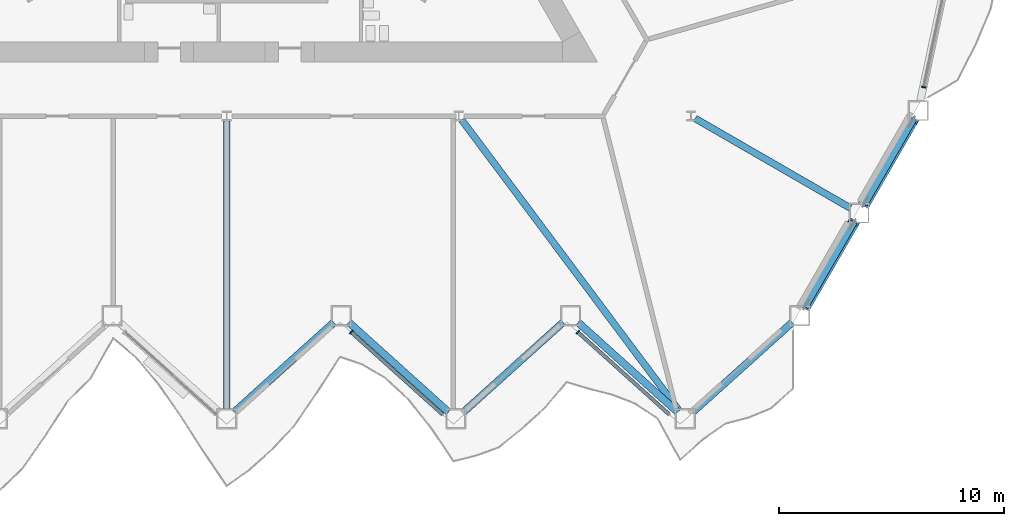
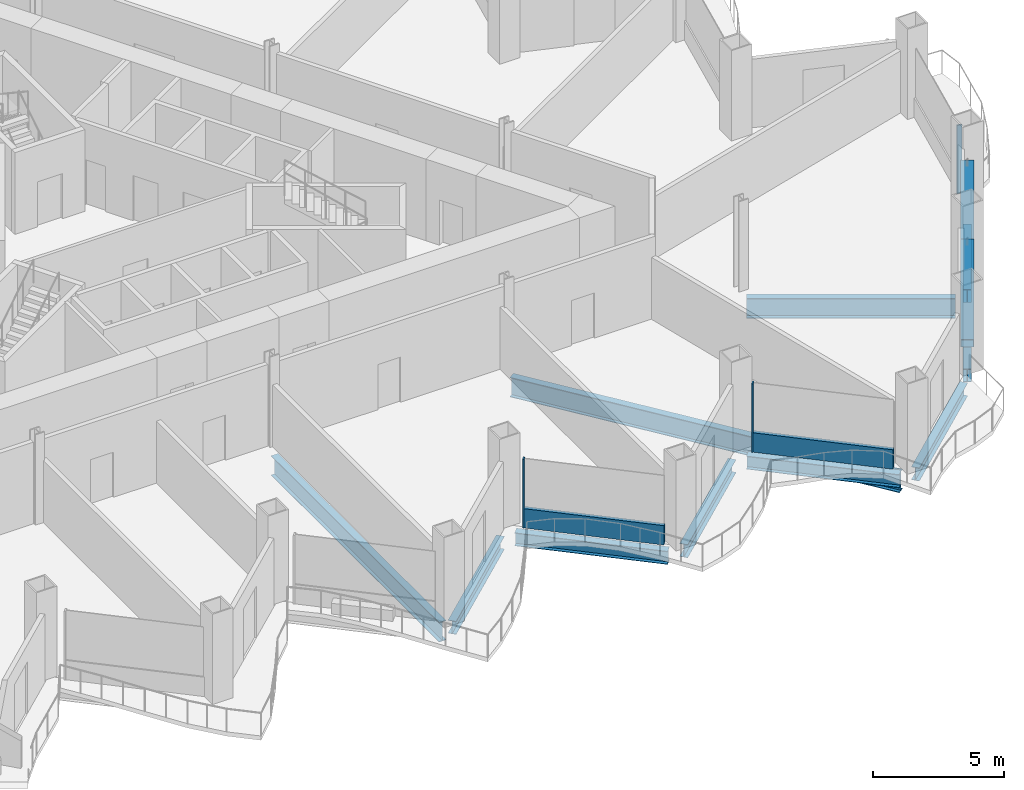
# One storey, part 5 of 21: 10 beams, 7 members, 3 elements without a shape of their own.
"""IFC4 building model written with IfcOpenShell, lengths in metres."""

from ifc_helpers import new_model, si_unit, direction, frame, origin, origin_2d, place, context, subcontext, project, spatial, rectangle, hollow_rectangle, i_section, extrude, material, layer, layer_set, material_profile, profile_set, type_object, element, aggregate, save


model = new_model("IFC4")

# Units and contexts
model_context = context("Model", 3, precision=1e-05, world=origin(), true_north=direction((0.0, 1.0)))
body_context = subcontext(model_context, "Body", "Model", "MODEL_VIEW")
ifc_project = project(units=[si_unit("LENGTHUNIT", "METRE"), si_unit("AREAUNIT", "SQUARE_METRE"), si_unit("VOLUMEUNIT", "CUBIC_METRE"), si_unit("PLANEANGLEUNIT", "RADIAN"), si_unit("MASSUNIT", "GRAM", prefix="KILO")], contexts=[model_context])

# Site, building, storey
site_placement = place(None, origin())
site = spatial("IfcSite", under=ifc_project, at=site_placement, CompositionType="ELEMENT")
building_placement = place(site_placement, origin())
building = spatial("IfcBuilding", under=site, at=building_placement, Name="Cormorant Prow Tower", CompositionType="ELEMENT")
storey_placement = place(building_placement, frame((0.0, 0.0, 124.800048828125)))
storey = spatial("IfcBuildingStorey", under=building, at=storey_placement, Name="L26", CompositionType="ELEMENT", Elevation=124.800048828125)

# Members
ifc_material_1 = material(Name="Structural steel ASTM A500 Gr C", Category="steel")
ifc_material_profile_1 = material_profile(ifc_material_1, hollow_rectangle(XDim=0.508056640625, YDim=0.508056640625, WallThickness=0.014892578125, at=origin_2d()), Name="HSS20x20x5/8")
ifc_profile_set_1 = profile_set([ifc_material_profile_1], Name="Structural steel ASTM A500 Gr C")
member_type_1 = type_object("IfcMemberType", Name="Chamfer brace HSS20x20x5/8", PredefinedType="BRACE", material=ifc_profile_set_1)
for number, where, z_axis, x_axis, name in (
    (1, (25.733642578125, -20.402099609375, 0.776611328125), (0.467784671838, 0.810243526908, 0.35310469821), (-0.866029868417, 0.499992266949, 0.0), "Chamfer brace BR1 at ESE00 L26"),
    (2, (28.368408203125, -15.83837890625, 0.776611328125), (0.467784671838, 0.810243526908, 0.35310469821), (-0.866029868417, 0.499992266949, 0.0), "Chamfer brace BR1 at ESE01 L26"),
):
    element("IfcMember", number, at=place(storey_placement, frame(where, z_axis=z_axis, x_axis=x_axis)), inside=storey, type_object=member_type_1, Name=name, PredefinedType="BRACE", context=body_context, shape_type="SweptSolid", body=[
        extrude(hollow_rectangle(XDim=0.508056640625, YDim=0.508056640625, WallThickness=0.014892578125, at=origin_2d()), origin(), (0.0, 0.0, 1.0), 4.632568359375),
    ])

# Curtain wall, member
ifc_material_2 = material(Name="Aluminium 6063-T6", Category="aluminium")
ifc_layer = layer(ifc_material_2, 0.199951171875)
ifc_layer_set = layer_set([ifc_layer], Name="Aluminium 6063-T6")
curtain_wall_type = type_object("IfcCurtainWallType", Name="Office unitised curtain wall 200", PredefinedType="NOTDEFINED", material=ifc_layer_set)
curtain_wall_1_placement = place(storey_placement, origin())
curtain_wall_1 = element("IfcCurtainWall", 3, at=curtain_wall_1_placement, inside=storey, type_object=curtain_wall_type, Name="Office curtain wall S06", PredefinedType="NOTDEFINED")
ifc_material_3 = material(Name="Aluminium 6063-T6", Category="aluminium")
ifc_material_profile_2 = material_profile(ifc_material_3, rectangle(XDim=0.199951171875, YDim=0.06005859375, at=origin_2d()), Name="Office mullion 60x200")
ifc_profile_set_2 = profile_set([ifc_material_profile_2], Name="Aluminium 6063-T6")
member_type_2 = type_object("IfcMemberType", Name="Office mullion 60x200", PredefinedType="MULLION", material=ifc_profile_set_2)
member_1_placement = place(storey_placement, frame((5.538330078125, -21.54150390625, 0.0), z_axis=(0.0, 0.0, 1.0), x_axis=(0.669130626463, 0.743144807376, 0.0)))
member_1 = element("IfcMember", 4, at=member_1_placement, type_object=member_type_2, Name="Office mullion S06", PredefinedType="MULLION", context=body_context, shape_type="SweptSolid", body=[
    extrude(rectangle(XDim=0.199951171875, YDim=0.06005859375, at=origin_2d()), origin(), (0.0, 0.0, 1.0), 3.18896484375),
])

curtain_wall_2_placement = place(storey_placement, origin())
curtain_wall_2 = element("IfcCurtainWall", 5, at=curtain_wall_2_placement, inside=storey, type_object=curtain_wall_type, Name="Office curtain wall S08", PredefinedType="NOTDEFINED")
member_2_placement = place(storey_placement, frame((15.625, -21.54150390625, 0.0), z_axis=(0.0, 0.0, 1.0), x_axis=(0.669130626463, 0.743144807376, 0.0)))
member_2 = element("IfcMember", 6, at=member_2_placement, type_object=member_type_2, Name="Office mullion S08", PredefinedType="MULLION", context=body_context, shape_type="SweptSolid", body=[
    extrude(rectangle(XDim=0.199951171875, YDim=0.06005859375, at=origin_2d()), origin(), (0.0, 0.0, 1.0), 3.18896484375),
])

curtain_wall_3_placement = place(storey_placement, origin())
curtain_wall_3 = element("IfcCurtainWall", 7, at=curtain_wall_3_placement, inside=storey, type_object=curtain_wall_type, Name="Office curtain wall ENE00", PredefinedType="NOTDEFINED")
member_3_placement = place(storey_placement, frame((31.0166015625, -10.63916015625, 0.0), z_axis=(0.0, 0.0, 1.0), x_axis=(-0.978147605839, 0.207911666798, 0.0)))
member_3 = element("IfcMember", 8, at=member_3_placement, type_object=member_type_2, Name="Office mullion ENE00", PredefinedType="MULLION", context=body_context, shape_type="SweptSolid", body=[
    extrude(rectangle(XDim=0.199951171875, YDim=0.06005859375, at=origin_2d()), origin(), (0.0, 0.0, 1.0), 3.18896484375),
])
aggregate(curtain_wall_3, [member_3])

# Member
ifc_material_4 = material(Name="Terracotta", Category="masonry")
ifc_material_profile_3 = material_profile(ifc_material_4, rectangle(XDim=0.159912109375, YDim=0.89990234375, at=origin_2d()), Name="Office terracotta spandrel rail 160x900")
ifc_profile_set_3 = profile_set([ifc_material_profile_3], Name="Terracotta")
member_type_3 = type_object("IfcMemberType", Name="Office terracotta spandrel rail 160x900", PredefinedType="USERDEFINED", material=ifc_profile_set_3)
member_4_placement = place(storey_placement, frame((5.560546875, -21.561767578125, 0.449951171875), z_axis=(0.743173953353, -0.66909825516, 0.0), x_axis=(0.66909825516, 0.743173953353, 0.0)))
member_4 = element("IfcMember", 9, at=member_4_placement, type_object=member_type_3, Name="Office spandrel rail S06", ObjectType="TRANSOM", PredefinedType="USERDEFINED", context=body_context, shape_type="SweptSolid", body=[
    extrude(rectangle(XDim=0.159912109375, YDim=0.89990234375, at=origin_2d()), origin(), (0.0, 0.0, 1.0), 5.45458984375),
])

aggregate(curtain_wall_1, [member_1, member_4])

member_5_placement = place(storey_placement, frame((15.6474609375, -21.561767578125, 0.449951171875), z_axis=(0.743153914206, -0.669120512165, 0.0), x_axis=(0.669120512165, 0.743153914206, 0.0)))
member_5 = element("IfcMember", 10, at=member_5_placement, type_object=member_type_3, Name="Office spandrel rail S08", ObjectType="TRANSOM", PredefinedType="USERDEFINED", context=body_context, shape_type="SweptSolid", body=[
    extrude(rectangle(XDim=0.159912109375, YDim=0.89990234375, at=origin_2d()), origin(), (0.0, 0.0, 1.0), 5.454345703125),
])

aggregate(curtain_wall_2, [member_2, member_5])

# Beams
ifc_material_5 = material(Name="Structural steel ASTM A992 Gr 50", Category="steel")
ifc_material_profile_4 = material_profile(ifc_material_5, i_section(OverallWidth=0.3046875, OverallDepth=0.914794921875, WebThickness=0.0166015625, FlangeThickness=0.02587890625, at=origin_2d()), Name="W36x160")
ifc_profile_set_4 = profile_set([ifc_material_profile_4], Name="Structural steel ASTM A992 Gr 50")
beam_type_1 = type_object("IfcBeamType", Name="Radial floor beam W36x160", PredefinedType="BEAM", material=ifc_profile_set_4)
beam_1_placement = place(storey_placement, frame((0.0, -12.143798828125, -0.857421875), z_axis=(0.0, -1.0, 0.0), x_axis=(1.0, 0.0, 0.0)))
element("IfcBeam", 11, at=beam_1_placement, inside=storey, type_object=beam_type_1, Name="Radial floor beam FB1 7 L26", PredefinedType="BEAM", context=body_context, shape_type="SweptSolid", body=[
    extrude(i_section(OverallWidth=0.3046875, OverallDepth=0.914794921875, WebThickness=0.0166015625, FlangeThickness=0.02587890625, at=origin_2d()), origin(), (0.0, 0.0, 1.0), 12.805419921875),
])
beam_2_placement = place(storey_placement, frame((10.458740234375, -12.100341796875, -0.857421875), z_axis=(0.598722444929, -0.800956574315, 0.0), x_axis=(0.800956574315, 0.598722444929, 0.0)))
element("IfcBeam", 12, at=beam_2_placement, inside=storey, type_object=beam_type_1, Name="Radial floor beam FB1 8 L26", PredefinedType="BEAM", context=body_context, shape_type="SweptSolid", body=[
    extrude(i_section(OverallWidth=0.3046875, OverallDepth=0.914794921875, WebThickness=0.0166015625, FlangeThickness=0.02587890625, at=origin_2d()), origin(), (0.0, 0.0, 1.0), 16.15380859375),
])
beam_3_placement = place(storey_placement, frame((20.84521484375, -12.034912109375, -0.857421875), z_axis=(0.866018715534, -0.50001158421, 0.0), x_axis=(0.50001158421, 0.866018715534, 0.0)))
element("IfcBeam", 13, at=beam_3_placement, inside=storey, type_object=beam_type_1, Name="Radial floor beam FB1 9 L26", PredefinedType="BEAM", context=body_context, shape_type="SweptSolid", body=[
    extrude(i_section(OverallWidth=0.3046875, OverallDepth=0.914794921875, WebThickness=0.0166015625, FlangeThickness=0.02587890625, at=origin_2d()), origin(), (0.0, 0.0, 1.0), 7.967041015625),
])
ifc_material_6 = material(Name="Structural steel ASTM A992 Gr 50", Category="steel")
ifc_material_profile_5 = material_profile(ifc_material_6, i_section(OverallWidth=0.32373046875, OverallDepth=0.611083984375, WebThickness=0.0126953125, FlangeThickness=0.01904296875, at=origin_2d()), Name="W24x104")
ifc_profile_set_5 = profile_set([ifc_material_profile_5], Name="Structural steel ASTM A992 Gr 50")
beam_type_2 = type_object("IfcBeamType", Name="Spandrel beam W24x104", PredefinedType="SPANDREL", material=ifc_profile_set_5)
for number, where, z_axis, x_axis, name in (
    (14, (0.33447265625, -25.09814453125, -0.70556640625), (0.743131253571, 0.66914567918, 0.0), (-0.66914567918, 0.743131253571, 0.0), "Spandrel beam SB1 S05-S06 L26"),
    (15, (5.434326171875, -21.108154296875, -0.70556640625), (0.743131253571, -0.66914567918, 0.0), (0.66914567918, 0.743131253571, 0.0), "Spandrel beam SB1 S06-S07 L26"),
    (16, (10.5341796875, -25.09814453125, -0.70556640625), (0.743131253571, 0.66914567918, 0.0), (-0.66914567918, 0.743131253571, 0.0), "Spandrel beam SB1 S07-S08 L26"),
    (17, (15.63427734375, -21.108154296875, -0.70556640625), (0.743131253571, -0.66914567918, 0.0), (0.66914567918, 0.743131253571, 0.0), "Spandrel beam SB1 S08-S09 L26"),
    (18, (20.734130859375, -25.09814453125, -0.70556640625), (0.743131253571, 0.66914567918, 0.0), (-0.66914567918, 0.743131253571, 0.0), "Spandrel beam SB1 S09-ESE00 L26"),
):
    element("IfcBeam", number, at=place(storey_placement, frame(where, z_axis=z_axis, x_axis=x_axis)), inside=storey, type_object=beam_type_2, Name=name, PredefinedType="SPANDREL", context=body_context, shape_type="SweptSolid", body=[
        extrude(i_section(OverallWidth=0.32373046875, OverallDepth=0.611083984375, WebThickness=0.0126953125, FlangeThickness=0.01904296875, at=origin_2d()), origin(), (0.0, 0.0, 1.0), 5.962890625),
    ])
for number, where, z_axis, x_axis, name in (
    (19, (25.724609375, -20.41748046875, -0.70556640625), (0.500002967982, 0.866023690213, 0.0), (-0.866023690213, 0.500002967982, 0.0), "Spandrel beam SB1 ESE00-ESE01 L26"),
    (20, (28.359619140625, -15.853759765625, -0.70556640625), (0.500002967982, 0.866023690213, 0.0), (-0.866023690213, 0.500002967982, 0.0), "Spandrel beam SB1 ESE01-ENE00 L26"),
):
    element("IfcBeam", number, at=place(storey_placement, frame(where, z_axis=z_axis, x_axis=x_axis)), inside=storey, type_object=beam_type_2, Name=name, PredefinedType="SPANDREL", context=body_context, shape_type="SweptSolid", body=[
        extrude(i_section(OverallWidth=0.32373046875, OverallDepth=0.611083984375, WebThickness=0.0126953125, FlangeThickness=0.01904296875, at=origin_2d()), origin(), (0.0, 0.0, 1.0), 4.36962890625),
    ])

save(model, "model.ifc")
